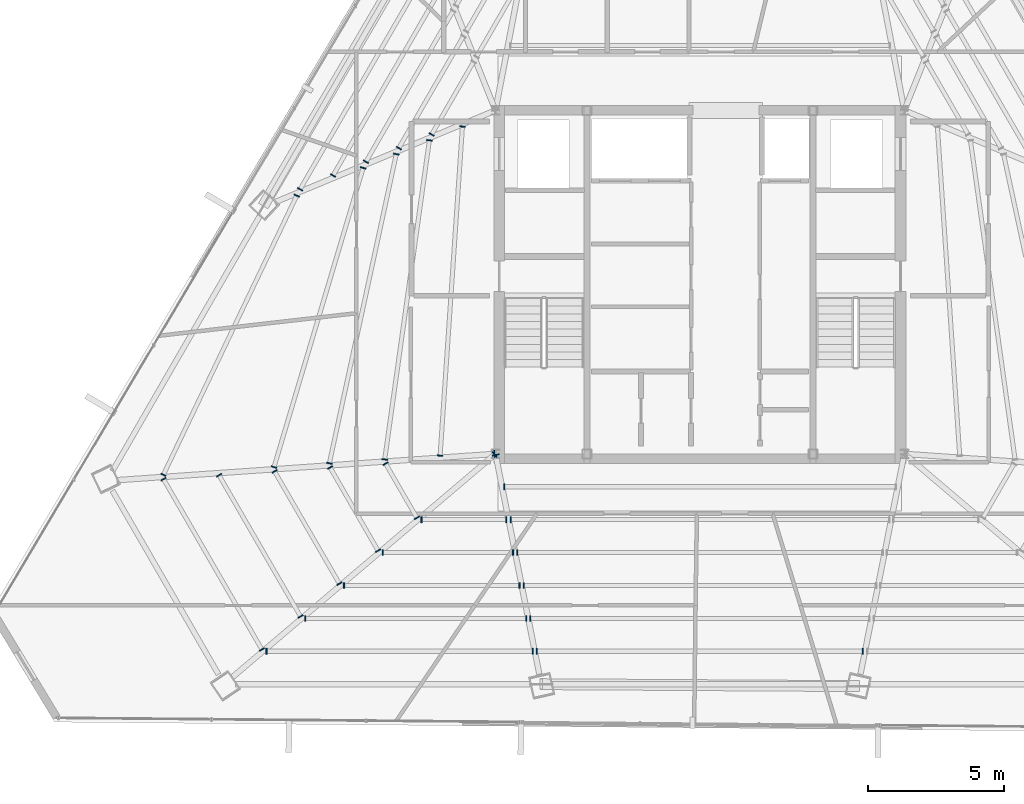
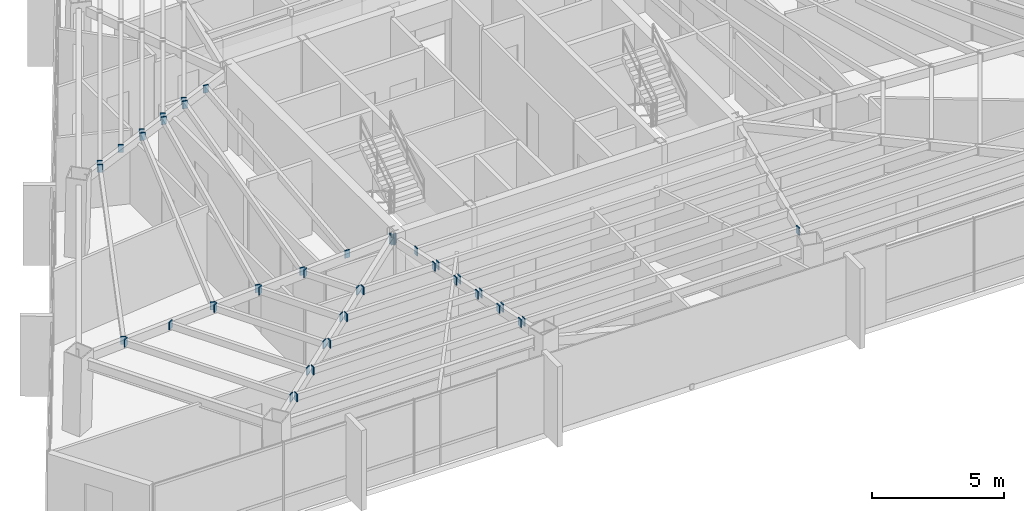
# One storey, part 40 of 49: 45 plates.
"""IFC4 building model written with IfcOpenShell, lengths in metres."""

from ifc_helpers import new_model, si_unit, direction, frame, origin, origin_2d, place, context, subcontext, project, spatial, rectangle, extrude, source, transform, mapped, material, layer, layer_set, type_object, type_shapes, element, save


model = new_model("IFC4")

# Units and contexts
model_context = context("Model", 3, precision=1e-05, world=origin(), true_north=direction((0.0, 1.0)))
body_context = subcontext(model_context, "Body", "Model", "MODEL_VIEW")
ifc_project = project(units=[si_unit("LENGTHUNIT", "METRE"), si_unit("AREAUNIT", "SQUARE_METRE"), si_unit("VOLUMEUNIT", "CUBIC_METRE"), si_unit("PLANEANGLEUNIT", "RADIAN"), si_unit("MASSUNIT", "GRAM", prefix="KILO")], contexts=[model_context])

# Site, building, storey
site_placement = place(None, origin())
site = spatial("IfcSite", under=ifc_project, at=site_placement, CompositionType="ELEMENT")
building_placement = place(site_placement, origin())
building = spatial("IfcBuilding", under=site, at=building_placement, Name="Caelisora Broadcast Tower", CompositionType="ELEMENT")
storey_placement = place(building_placement, frame((0.0, 0.0, 233.5)))
storey = spatial("IfcBuildingStorey", under=building, at=storey_placement, Name="L61", CompositionType="ELEMENT", Elevation=233.5)

# Plates
ifc_material = material(Name="Steel Grade 350 L15 (AS/NZS 3678)", Category="steel")
ifc_layer = layer(ifc_material, 0.0400390625, Name="Steel Grade 350 L15 (AS/NZS 3678)")
ifc_layer_set = layer_set([ifc_layer], Name="Steel Grade 350 L15 (AS/NZS 3678)")
plate_type = type_object("IfcPlateType", Name="GP04", PredefinedType="USERDEFINED", material=ifc_layer_set)
shared_shape_1 = source(origin(), body_context, "Body", "SweptSolid", [
    extrude(rectangle(XDim=0.260009765625, YDim=0.0400390625, at=origin_2d()), origin(), (0.0, 0.0, 1.0), 0.4599609375),
])
for number, where, z_axis, x_axis, name in (
    (1, (30.460205078125, 17.397216796875, 2.969970703125), (0.0, 0.0, 1.0), (0.069408253958, -0.997588339087, 0.0), "L61 gusset plate GP04 (ND-RAD-L61-05)"),
    (2, (30.469482421875, 17.3740234375, 2.969970703125), (0.0, 0.0, 1.0), (0.647055961569, -0.762442511011, 0.0), "L61 gusset plate GP04 (ND-RAD-L61-06)"),
    (3, (30.5078125, 17.36083984375, 2.969970703125), (0.0, 0.0, 1.0), (0.980751215781, 0.195261498368, 0.0), "L61 gusset plate GP04 (ND-RAD-L61-07)"),
):
    element("IfcPlate", number, at=place(storey_placement, frame(where, z_axis=z_axis, x_axis=x_axis)), inside=storey, type_object=plate_type, Name=name, ObjectType="GUSSET PLATE", PredefinedType="USERDEFINED", context=body_context, shape_type="MappedRepresentation", body=[
        mapped(shared_shape_1, transform((0.0, 0.0, 0.0), scale=1.0)),
    ])
shared_shape_2 = source(origin(), body_context, "Body", "SweptSolid", [
    extrude(rectangle(XDim=0.2099609375, YDim=0.0400390625, at=origin_2d()), origin(), (0.0, 0.0, 1.0), 0.360107421875),
])
type_shapes(plate_type, [shared_shape_1, shared_shape_2])
for number, where, z_axis, x_axis, name in (
    (4, (28.15869140625, 29.11865234375, 3.06982421875), (0.0, 0.0, 1.0), (0.866025403784, -0.5, 0.0), "L61 gusset plate GP04 (ND-SB-L61-012B)"),
    (5, (26.95263671875, 28.61669921875, 3.06982421875), (0.0, 0.0, 1.0), (0.866025403784, -0.5, 0.0), "L61 gusset plate GP04 (ND-SB-L61-013B)"),
    (6, (25.74658203125, 28.114501953125, 3.06982421875), (0.0, 0.0, 1.0), (0.866025403784, -0.5, 0.0), "L61 gusset plate GP04 (ND-SB-L61-014B)"),
    (7, (24.540771484375, 27.612548828125, 3.06982421875), (0.0, 0.0, 1.0), (0.866025403784, -0.5, 0.0), "L61 gusset plate GP04 (ND-SB-L61-015B)"),
    (8, (23.334716796875, 27.110595703125, 3.06982421875), (0.0, 0.0, 1.0), (0.866025403784, -0.5, 0.0), "L61 gusset plate GP04 (ND-SB-L61-016B)"),
    (9, (29.2880859375, 29.409423828125, 3.06982421875), (0.0, 0.0, 1.0), (0.997707959868, -0.067667029017, 0.0), "L61 gusset plate GP04 (ND-SB-L61-017A)"),
    (10, (28.468017578125, 17.336181640625, 3.06982421875), (0.0, 0.0, 1.0), (0.997707959868, -0.067667029017, 0.0), "L61 gusset plate GP04 (ND-SB-L61-017B)"),
    (11, (28.074951171875, 28.90380859375, 3.06982421875), (0.0, 0.0, 1.0), (0.99034080386, -0.138654578758, 0.0), "L61 gusset plate GP04 (ND-SB-L61-018A)"),
    (12, (26.4365234375, 17.1953125, 3.06982421875), (0.0, 0.0, 1.0), (0.99034080386, -0.138654578758, 0.0), "L61 gusset plate GP04 (ND-SB-L61-018B)"),
    (13, (26.861083984375, 28.3974609375, 3.06982421875), (0.0, 0.0, 1.0), (0.977378996264, -0.211495384491, 0.0), "L61 gusset plate GP04 (ND-SB-L61-019A)"),
    (14, (24.405517578125, 17.054443359375, 3.06982421875), (0.0, 0.0, 1.0), (0.977378996264, -0.211495384491, 0.0), "L61 gusset plate GP04 (ND-SB-L61-019B)"),
    (15, (25.6455078125, 27.890380859375, 3.06982421875), (0.0, 0.0, 1.0), (0.958372421895, -0.285521104212, 0.0), "L61 gusset plate GP04 (ND-SB-L61-020A)"),
    (16, (22.375, 16.913818359375, 3.06982421875), (0.0, 0.0, 1.0), (0.958372421895, -0.285521104212, 0.0), "L61 gusset plate GP04 (ND-SB-L61-020B)"),
    (17, (23.209228515625, 26.87353515625, 3.06982421875), (0.0, 0.0, 1.0), (0.902284510975, -0.431141115244, 0.0), "L61 gusset plate GP04 (ND-SB-L61-021A)"),
    (18, (18.31640625, 16.63330078125, 3.06982421875), (0.0, 0.0, 1.0), (0.902284510975, -0.431141115244, 0.0), "L61 gusset plate GP04 (ND-SB-L61-021B)"),
    (19, (26.4697265625, 17.040283203125, 3.06982421875), (0.0, 0.0, 1.0), (0.866025403784, 0.5, 0.0), "L61 gusset plate GP04 (ND-SB-L61-022A)"),
    (20, (27.616455078125, 15.053955078125, 3.06982421875), (0.0, 0.0, 1.0), (0.866025403784, 0.5, 0.0), "L61 gusset plate GP04 (ND-SB-L61-022B)"),
    (21, (24.4326171875, 16.898681640625, 3.06982421875), (0.0, 0.0, 1.0), (0.866025403784, 0.5, 0.0), "L61 gusset plate GP04 (ND-SB-L61-023A)"),
    (22, (26.1943359375, 13.846923828125, 3.06982421875), (0.0, 0.0, 1.0), (0.866025403784, 0.5, 0.0), "L61 gusset plate GP04 (ND-SB-L61-023B)"),
    (23, (22.395263671875, 16.757080078125, 3.06982421875), (0.0, 0.0, 1.0), (0.866025403784, 0.5, 0.0), "L61 gusset plate GP04 (ND-SB-L61-024A)"),
    (24, (24.7724609375, 12.639892578125, 3.06982421875), (0.0, 0.0, 1.0), (0.866025403784, 0.5, 0.0), "L61 gusset plate GP04 (ND-SB-L61-024B)"),
    (25, (20.358154296875, 16.615478515625, 3.06982421875), (0.0, 0.0, 1.0), (0.866025403784, 0.5, 0.0), "L61 gusset plate GP04 (ND-SB-L61-025A)"),
    (26, (23.350341796875, 11.432861328125, 3.06982421875), (0.0, 0.0, 1.0), (0.866025403784, 0.5, 0.0), "L61 gusset plate GP04 (ND-SB-L61-025B)"),
    (27, (18.32080078125, 16.473876953125, 3.06982421875), (0.0, 0.0, 1.0), (0.866025403784, 0.5, 0.0), "L61 gusset plate GP04 (ND-SB-L61-026A)"),
    (28, (21.92822265625, 10.2255859375, 3.06982421875), (0.0, 0.0, 1.0), (0.866025403784, 0.5, 0.0), "L61 gusset plate GP04 (ND-SB-L61-026B)"),
    (29, (27.787353515625, 14.98583984375, 3.06982421875), (0.0, 0.0, 1.0), (0.0, 1.0, 0.0), "L61 gusset plate GP04 (ND-SB-L61-027A)"),
    (30, (30.901611328125, 14.98583984375, 3.06982421875), (0.0, 0.0, 1.0), (0.0, 1.0, 0.0), "L61 gusset plate GP04 (ND-SB-L61-027B)"),
    (31, (26.365234375, 13.77880859375, 3.06982421875), (0.0, 0.0, 1.0), (0.0, 1.0, 0.0), "L61 gusset plate GP04 (ND-SB-L61-028A)"),
    (32, (31.141845703125, 13.77880859375, 3.06982421875), (0.0, 0.0, 1.0), (0.0, 1.0, 0.0), "L61 gusset plate GP04 (ND-SB-L61-028B)"),
    (33, (24.943115234375, 12.57177734375, 3.06982421875), (0.0, 0.0, 1.0), (0.0, 1.0, 0.0), "L61 gusset plate GP04 (ND-SB-L61-029A)"),
    (34, (31.382080078125, 12.57177734375, 3.06982421875), (0.0, 0.0, 1.0), (0.0, 1.0, 0.0), "L61 gusset plate GP04 (ND-SB-L61-029B)"),
    (35, (23.52099609375, 11.36474609375, 3.06982421875), (0.0, 0.0, 1.0), (0.0, 1.0, 0.0), "L61 gusset plate GP04 (ND-SB-L61-030A)"),
    (36, (31.622314453125, 11.36474609375, 3.06982421875), (0.0, 0.0, 1.0), (0.0, 1.0, 0.0), "L61 gusset plate GP04 (ND-SB-L61-030B)"),
    (37, (22.09912109375, 10.15771484375, 3.06982421875), (0.0, 0.0, 1.0), (0.0, 1.0, 0.0), "L61 gusset plate GP04 (ND-SB-L61-031A)"),
    (38, (31.862548828125, 10.15771484375, 3.06982421875), (0.0, 0.0, 1.0), (0.0, 1.0, 0.0), "L61 gusset plate GP04 (ND-SB-L61-031B)"),
    (39, (30.8193359375, 16.19287109375, 3.06982421875), (0.0, 0.0, 1.0), (0.0, 1.0, 0.0), "L61 gusset plate GP04 (ND-SB-L61-032A)"),
    (40, (31.0595703125, 14.98583984375, 3.06982421875), (0.0, 0.0, 1.0), (0.0, 1.0, 0.0), "L61 gusset plate GP04 (ND-SB-L61-033A)"),
    (41, (31.2998046875, 13.77880859375, 3.06982421875), (0.0, 0.0, 1.0), (0.0, 1.0, 0.0), "L61 gusset plate GP04 (ND-SB-L61-034A)"),
    (42, (31.5400390625, 12.57177734375, 3.06982421875), (0.0, 0.0, 1.0), (0.0, 1.0, 0.0), "L61 gusset plate GP04 (ND-SB-L61-035A)"),
    (43, (31.7802734375, 11.36474609375, 3.06982421875), (0.0, 0.0, 1.0), (0.0, 1.0, 0.0), "L61 gusset plate GP04 (ND-SB-L61-036A)"),
    (44, (32.0205078125, 10.15771484375, 3.06982421875), (0.0, 0.0, 1.0), (0.0, 1.0, 0.0), "L61 gusset plate GP04 (ND-SB-L61-037A)"),
    (45, (43.9794921875, 10.15771484375, 3.06982421875), (0.0, 0.0, 1.0), (0.0, 1.0, 0.0), "L61 gusset plate GP04 (ND-SB-L61-037B)"),
):
    element("IfcPlate", number, at=place(storey_placement, frame(where, z_axis=z_axis, x_axis=x_axis)), inside=storey, type_object=plate_type, Name=name, ObjectType="GUSSET PLATE", PredefinedType="USERDEFINED", context=body_context, shape_type="MappedRepresentation", body=[
        mapped(shared_shape_2, transform((0.0, 0.0, 0.0), scale=1.0)),
    ])

save(model, "model.ifc")
